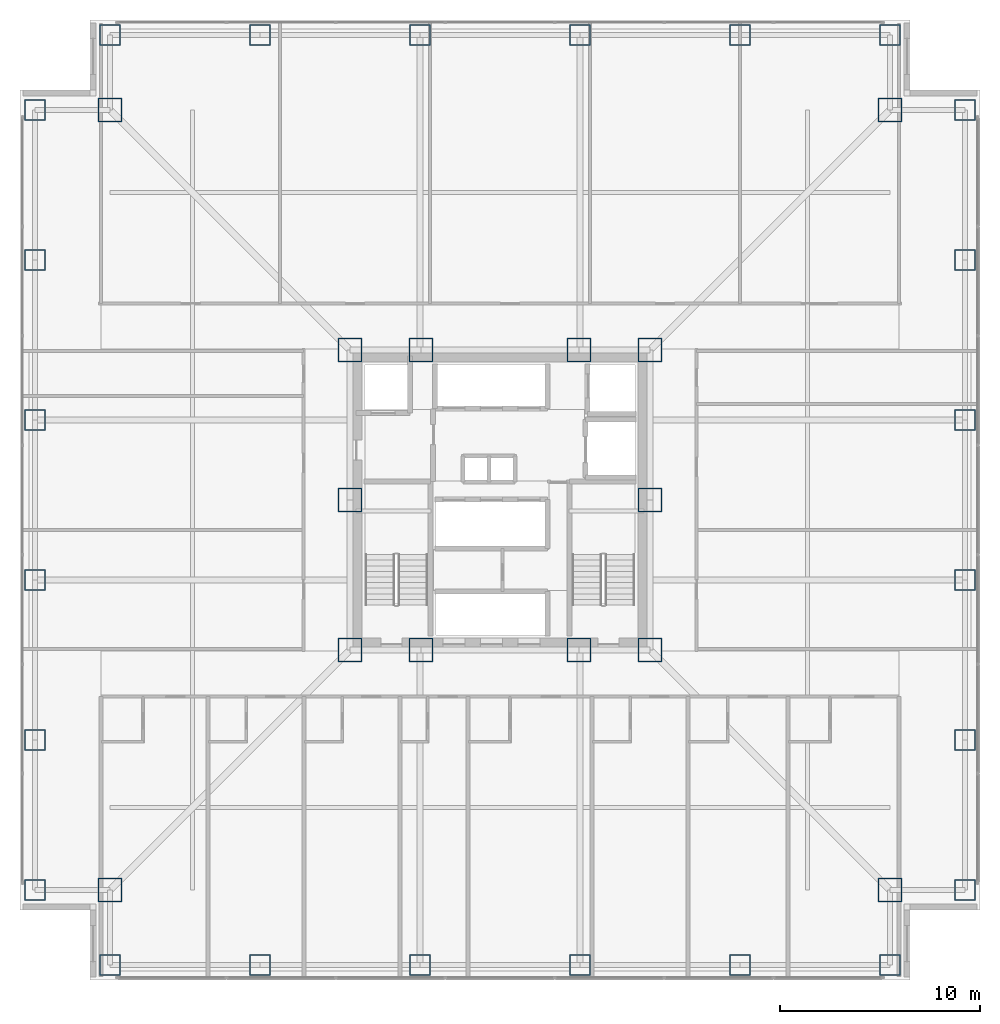
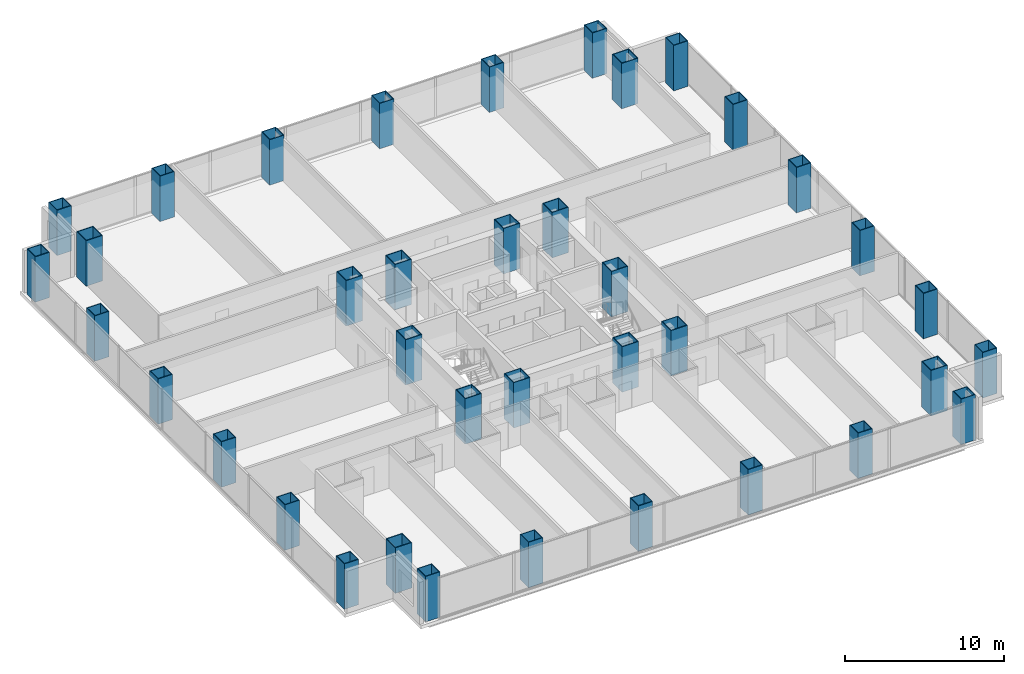
# One storey, part 1 of 20: 38 columns.
"""IFC4 building model written with IfcOpenShell, lengths in metres."""

from ifc_helpers import new_model, si_unit, direction, frame, origin, origin_2d, place, context, subcontext, project, spatial, hollow_rectangle, extrude, material, material_profile, profile_set, type_object, element, save


model = new_model("IFC4")

# Units and contexts
model_context = context("Model", 3, precision=1e-05, world=origin(), true_north=direction((0.0, 1.0)))
body_context = subcontext(model_context, "Body", "Model", "MODEL_VIEW")
ifc_project = project(units=[si_unit("LENGTHUNIT", "METRE"), si_unit("AREAUNIT", "SQUARE_METRE"), si_unit("VOLUMEUNIT", "CUBIC_METRE"), si_unit("PLANEANGLEUNIT", "RADIAN"), si_unit("MASSUNIT", "GRAM", prefix="KILO")], contexts=[model_context])

# Site, building, storey
site_placement = place(None, origin())
site = spatial("IfcSite", under=ifc_project, at=site_placement, CompositionType="ELEMENT")
building_placement = place(site_placement, origin())
building = spatial("IfcBuilding", under=site, at=building_placement, Name="Trevonay Congress Spire", CompositionType="ELEMENT")
storey_placement = place(building_placement, frame((0.0, 0.0, 62.0)))
storey = spatial("IfcBuildingStorey", under=building, at=storey_placement, Name="L15", CompositionType="ELEMENT", Elevation=62.0)

# Columns
ifc_material = material(Name="Steel ASTM A572 Grade 50", Category="steel")
ifc_material_profile_1 = material_profile(ifc_material, hollow_rectangle(XDim=1.199951171875, YDim=1.199951171875, WallThickness=0.054931640625, at=origin_2d()), Name="BOX 1200x1200x55")
ifc_profile_set_1 = profile_set([ifc_material_profile_1], Name="Steel ASTM A572 Grade 50")
column_type_1 = type_object("IfcColumnType", Name="COL-CORE-BOX1200", PredefinedType="COLUMN", material=ifc_profile_set_1)
for number, where, z_axis, x_axis, name in (
    (1, (-7.5, -7.5, 0.0), (0.0, 0.0, 1.0), (1.0, 0.0, 0.0), "L15 column C02 at CC-SW"),
    (2, (-3.949951171875, -7.5, 0.0), (0.0, 0.0, 1.0), (1.0, 0.0, 0.0), "L15 column C02 at CC-SMW"),
    (3, (3.949951171875, -7.5, 0.0), (0.0, 0.0, 1.0), (1.0, 0.0, 0.0), "L15 column C02 at CC-SME"),
    (4, (7.5, -7.5, 0.0), (0.0, 0.0, 1.0), (1.0, 0.0, 0.0), "L15 column C02 at CC-SE"),
    (5, (7.5, 0.0, 0.0), (0.0, 0.0, 1.0), (1.0, 0.0, 0.0), "L15 column C02 at CC-E"),
    (6, (7.5, 7.5, 0.0), (0.0, 0.0, 1.0), (1.0, 0.0, 0.0), "L15 column C02 at CC-NE"),
    (7, (3.949951171875, 7.5, 0.0), (0.0, 0.0, 1.0), (1.0, 0.0, 0.0), "L15 column C02 at CC-NME"),
    (8, (-3.949951171875, 7.5, 0.0), (0.0, 0.0, 1.0), (1.0, 0.0, 0.0), "L15 column C02 at CC-NMW"),
    (9, (-7.5, 7.5, 0.0), (0.0, 0.0, 1.0), (1.0, 0.0, 0.0), "L15 column C02 at CC-NW"),
    (10, (-7.5, 0.0, 0.0), (0.0, 0.0, 1.0), (1.0, 0.0, 0.0), "L15 column C02 at CC-W"),
):
    element("IfcColumn", number, at=place(storey_placement, frame(where, z_axis=z_axis, x_axis=x_axis)), inside=storey, type_object=column_type_1, Name=name, PredefinedType="COLUMN", context=body_context, shape_type="SweptSolid", body=[
        extrude(hollow_rectangle(XDim=1.199951171875, YDim=1.199951171875, WallThickness=0.054931640625, at=origin_2d()), origin(), (0.0, 0.0, 1.0), 3.5),
    ])
ifc_material_profile_2 = material_profile(ifc_material, hollow_rectangle(XDim=1.199951171875, YDim=1.199951171875, WallThickness=0.054931640625, at=origin_2d()), Name="BOX 1200x1200x55")
ifc_profile_set_2 = profile_set([ifc_material_profile_2], Name="Steel ASTM A572 Grade 50")
column_type_2 = type_object("IfcColumnType", Name="COL-NOTCH-BOX1200", PredefinedType="COLUMN", material=ifc_profile_set_2)
for number, where, z_axis, x_axis, name in (
    (11, (-19.5, -19.5, 0.0), (0.0, 0.0, 1.0), (1.0, 0.0, 0.0), "L15 column C19 at NC-SW"),
    (12, (19.5, -19.5, 0.0), (0.0, 0.0, 1.0), (1.0, 0.0, 0.0), "L15 column C19 at NC-SE"),
    (13, (19.5, 19.5, 0.0), (0.0, 0.0, 1.0), (1.0, 0.0, 0.0), "L15 column C19 at NC-NE"),
    (14, (-19.5, 19.5, 0.0), (0.0, 0.0, 1.0), (1.0, 0.0, 0.0), "L15 column C19 at NC-NW"),
):
    element("IfcColumn", number, at=place(storey_placement, frame(where, z_axis=z_axis, x_axis=x_axis)), inside=storey, type_object=column_type_2, Name=name, PredefinedType="COLUMN", context=body_context, shape_type="SweptSolid", body=[
        extrude(hollow_rectangle(XDim=1.199951171875, YDim=1.199951171875, WallThickness=0.054931640625, at=origin_2d()), origin(), (0.0, 0.0, 1.0), 3.5),
    ])
ifc_material_profile_3 = material_profile(ifc_material, hollow_rectangle(XDim=1.050048828125, YDim=1.050048828125, WallThickness=0.050048828125, at=origin_2d()), Name="BOX 1050x1050x50")
ifc_profile_set_3 = profile_set([ifc_material_profile_3], Name="Steel ASTM A572 Grade 50")
column_type_3 = type_object("IfcColumnType", Name="COL-TUBE-BOX1050", PredefinedType="COLUMN", material=ifc_profile_set_3)
for number, where, z_axis, x_axis, name in (
    (15, (-19.5, -23.25, 0.0), (0.0, 0.0, 1.0), (1.0, 0.0, 0.0), "L15 column C14 at TS-1"),
    (16, (-19.5, 23.25, 0.0), (0.0, 0.0, 1.0), (1.0, 0.0, 0.0), "L15 column C14 at TN-1"),
    (17, (-23.25, -19.5, 0.0), (0.0, 0.0, 1.0), (1.0, 0.0, 0.0), "L15 column C14 at TW-1"),
    (18, (23.25, -19.5, 0.0), (0.0, 0.0, 1.0), (1.0, 0.0, 0.0), "L15 column C14 at TE-1"),
    (19, (-12.0, -23.25, 0.0), (0.0, 0.0, 1.0), (1.0, 0.0, 0.0), "L15 column C14 at TS-2"),
    (20, (-12.0, 23.25, 0.0), (0.0, 0.0, 1.0), (1.0, 0.0, 0.0), "L15 column C14 at TN-2"),
    (21, (-23.25, -12.0, 0.0), (0.0, 0.0, 1.0), (1.0, 0.0, 0.0), "L15 column C14 at TW-2"),
    (22, (23.25, -12.0, 0.0), (0.0, 0.0, 1.0), (1.0, 0.0, 0.0), "L15 column C14 at TE-2"),
    (23, (-4.0, -23.25, 0.0), (0.0, 0.0, 1.0), (1.0, 0.0, 0.0), "L15 column C14 at TS-3"),
    (24, (-4.0, 23.25, 0.0), (0.0, 0.0, 1.0), (1.0, 0.0, 0.0), "L15 column C14 at TN-3"),
    (25, (-23.25, -4.0, 0.0), (0.0, 0.0, 1.0), (1.0, 0.0, 0.0), "L15 column C14 at TW-3"),
    (26, (23.25, -4.0, 0.0), (0.0, 0.0, 1.0), (1.0, 0.0, 0.0), "L15 column C14 at TE-3"),
    (27, (4.0, -23.25, 0.0), (0.0, 0.0, 1.0), (1.0, 0.0, 0.0), "L15 column C14 at TS-4"),
    (28, (4.0, 23.25, 0.0), (0.0, 0.0, 1.0), (1.0, 0.0, 0.0), "L15 column C14 at TN-4"),
    (29, (-23.25, 4.0, 0.0), (0.0, 0.0, 1.0), (1.0, 0.0, 0.0), "L15 column C14 at TW-4"),
    (30, (23.25, 4.0, 0.0), (0.0, 0.0, 1.0), (1.0, 0.0, 0.0), "L15 column C14 at TE-4"),
    (31, (12.0, -23.25, 0.0), (0.0, 0.0, 1.0), (1.0, 0.0, 0.0), "L15 column C14 at TS-5"),
    (32, (12.0, 23.25, 0.0), (0.0, 0.0, 1.0), (1.0, 0.0, 0.0), "L15 column C14 at TN-5"),
    (33, (-23.25, 12.0, 0.0), (0.0, 0.0, 1.0), (1.0, 0.0, 0.0), "L15 column C14 at TW-5"),
    (34, (23.25, 12.0, 0.0), (0.0, 0.0, 1.0), (1.0, 0.0, 0.0), "L15 column C14 at TE-5"),
    (35, (19.5, -23.25, 0.0), (0.0, 0.0, 1.0), (1.0, 0.0, 0.0), "L15 column C14 at TS-6"),
    (36, (19.5, 23.25, 0.0), (0.0, 0.0, 1.0), (1.0, 0.0, 0.0), "L15 column C14 at TN-6"),
    (37, (-23.25, 19.5, 0.0), (0.0, 0.0, 1.0), (1.0, 0.0, 0.0), "L15 column C14 at TW-6"),
    (38, (23.25, 19.5, 0.0), (0.0, 0.0, 1.0), (1.0, 0.0, 0.0), "L15 column C14 at TE-6"),
):
    element("IfcColumn", number, at=place(storey_placement, frame(where, z_axis=z_axis, x_axis=x_axis)), inside=storey, type_object=column_type_3, Name=name, PredefinedType="COLUMN", context=body_context, shape_type="SweptSolid", body=[
        extrude(hollow_rectangle(XDim=1.050048828125, YDim=1.050048828125, WallThickness=0.050048828125, at=origin_2d()), origin(), (0.0, 0.0, 1.0), 3.5),
    ])

save(model, "model.ifc")
